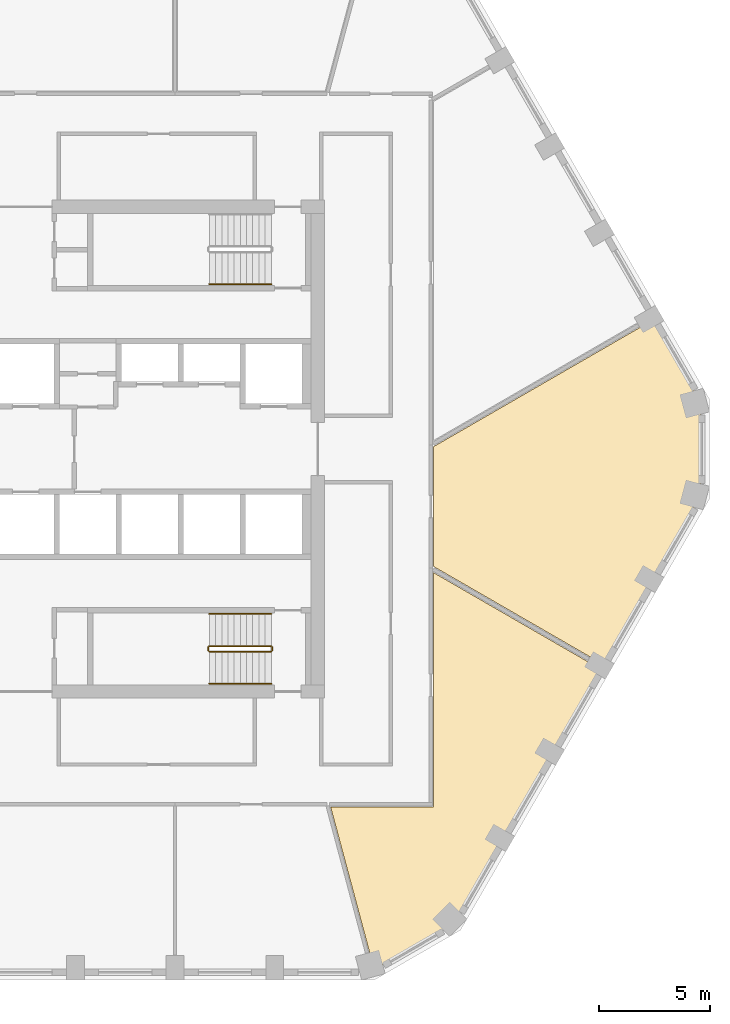
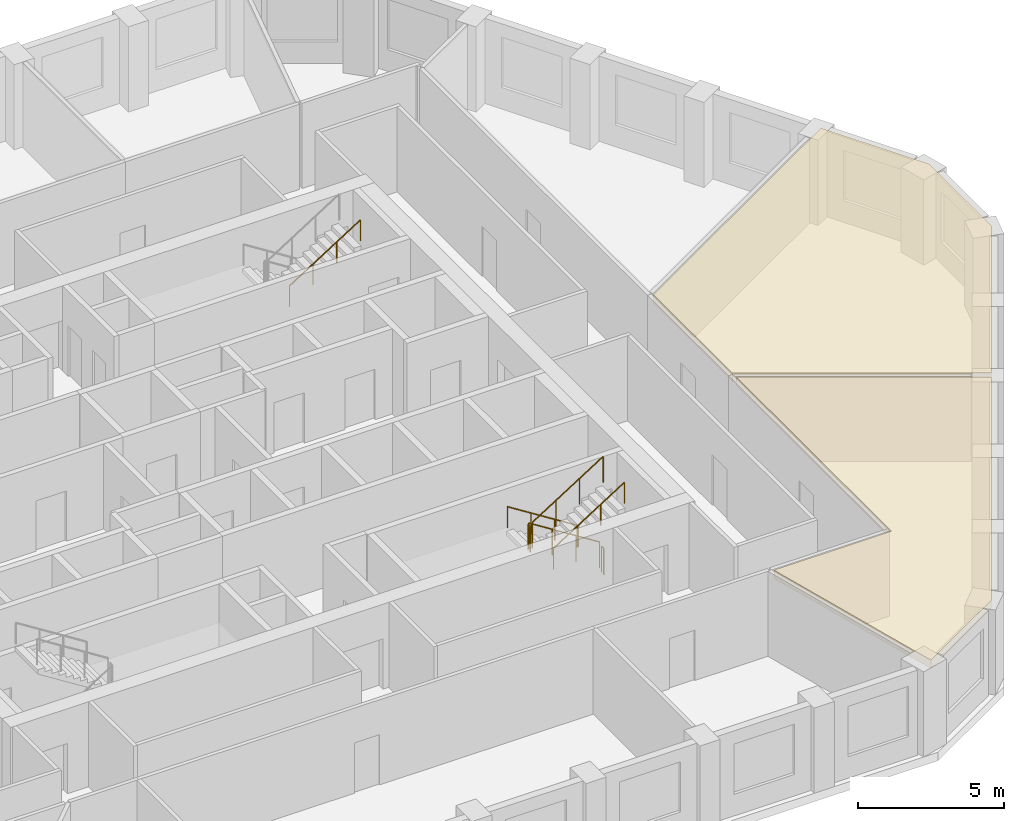
# One storey, part 10 of 13: 7 railings, 2 coverings.
"""IFC4 building model written with IfcOpenShell, lengths in metres."""

from ifc_helpers import new_model, si_unit, direction, frame, origin, origin_2d, place, context, subcontext, project, spatial, polyline, circle, outline, extrude, material, layer, layer_set, type_object, element, save


model = new_model("IFC4")

# Units and contexts
model_context = context("Model", 3, precision=1e-05, world=origin(), true_north=direction((0.0, 1.0)))
body_context = subcontext(model_context, "Body", "Model", "MODEL_VIEW")
ifc_project = project(units=[si_unit("LENGTHUNIT", "METRE"), si_unit("AREAUNIT", "SQUARE_METRE"), si_unit("VOLUMEUNIT", "CUBIC_METRE"), si_unit("PLANEANGLEUNIT", "RADIAN"), si_unit("MASSUNIT", "GRAM", prefix="KILO")], contexts=[model_context])

# Site, building, storey
site_placement = place(None, origin())
site = spatial("IfcSite", under=ifc_project, at=site_placement, CompositionType="ELEMENT")
building_placement = place(site_placement, origin())
building = spatial("IfcBuilding", under=site, at=building_placement, Name="Dhurran Vertical Campus", CompositionType="ELEMENT")
storey_placement = place(building_placement, frame((0.0, 0.0, 187.800048828125)))
storey = spatial("IfcBuildingStorey", under=building, at=storey_placement, Name="L46", CompositionType="ELEMENT", Elevation=187.800048828125)

# Railings
ifc_material_1 = material(Name="Stainless steel balustrade", Category="steel")
railing_type_1 = type_object("IfcRailingType", Name="co-RL-GUARD-1100", PredefinedType="GUARDRAIL", material=ifc_material_1)
railing_1_placement = place(storey_placement, frame((11.10009765625, -8.89990234375, 0.17724609375)))
element("IfcRailing", 1, at=railing_1_placement, inside=storey, type_object=railing_type_1, Name="L46 ST4 stair guard 1", PredefinedType="GUARDRAIL", context=body_context, shape_type="SweptSolid", body=[
    extrude(circle(Radius=0.02392578125, at=origin_2d()), frame((0.0, 0.0, 1.076171875), z_axis=(-0.844908973607, 0.0, 0.534910110503), x_axis=(0.0, -1.0, 0.0)), (0.0, 0.0, 1.0), 3.31396484375),
    extrude(circle(Radius=0.02099609375, at=origin_2d()), origin(), (0.0, 0.0, 1.0), 1.052001953125),
    extrude(circle(Radius=0.02099609375, at=origin_2d()), frame((-0.933349609375, 0.0, 0.5908203125)), (0.0, 0.0, 1.0), 1.052001953125),
    extrude(circle(Radius=0.02099609375, at=origin_2d()), frame((-1.86669921875, 0.0, 1.181884765625)), (0.0, 0.0, 1.0), 1.052001953125),
    extrude(circle(Radius=0.02099609375, at=origin_2d()), frame((-2.800048828125, 0.0, 1.772705078125)), (0.0, 0.0, 1.0), 1.052001953125),
])
railing_2_placement = place(storey_placement, frame((8.25, -8.949951171875, 1.949951171875)))
element("IfcRailing", 2, at=railing_2_placement, inside=storey, type_object=railing_type_1, Name="L46 ST4 stair guard 2", PredefinedType="GUARDRAIL", context=body_context, shape_type="SweptSolid", body=[
    extrude(circle(Radius=0.02392578125, at=origin_2d()), frame((0.0, 0.0, 1.076171875), z_axis=(0.0, -1.0, 0.0), x_axis=(1.0, 0.0, 0.0)), (0.0, 0.0, 1.0), 0.150146484375),
    extrude(circle(Radius=0.02099609375, at=origin_2d()), origin(), (0.0, 0.0, 1.0), 1.052001953125),
    extrude(circle(Radius=0.02099609375, at=origin_2d()), frame((0.0, -0.150146484375, 0.0)), (0.0, 0.0, 1.0), 1.052001953125),
])
railing_3_placement = place(storey_placement, frame((8.300048828125, -9.14990234375, 2.127197265625)))
element("IfcRailing", 3, at=railing_3_placement, inside=storey, type_object=railing_type_1, Name="L46 ST4 stair guard 3", PredefinedType="GUARDRAIL", context=body_context, shape_type="SweptSolid", body=[
    extrude(circle(Radius=0.02392578125, at=origin_2d()), frame((0.0, 0.0, 1.076171875), z_axis=(0.844908973607, 0.0, 0.534910110503), x_axis=(0.0, 1.0, 0.0)), (0.0, 0.0, 1.0), 3.31396484375),
    extrude(circle(Radius=0.02099609375, at=origin_2d()), origin(), (0.0, 0.0, 1.0), 1.052001953125),
    extrude(circle(Radius=0.02099609375, at=origin_2d()), frame((0.933349609375, 0.0, 0.5908203125)), (0.0, 0.0, 1.0), 1.052001953125),
    extrude(circle(Radius=0.02099609375, at=origin_2d()), frame((1.86669921875, 0.0, 1.181884765625)), (0.0, 0.0, 1.0), 1.052001953125),
    extrude(circle(Radius=0.02099609375, at=origin_2d()), frame((2.800048828125, 0.0, 1.772705078125)), (0.0, 0.0, 1.0), 1.052001953125),
])
railing_4_placement = place(storey_placement, frame((11.14990234375, -8.949951171875, 0.0)))
element("IfcRailing", 4, at=railing_4_placement, inside=storey, type_object=railing_type_1, Name="L46 ST4 stair guard 4", PredefinedType="GUARDRAIL", context=body_context, shape_type="SweptSolid", body=[
    extrude(circle(Radius=0.02392578125, at=origin_2d()), frame((0.0, 0.0, 1.076171875), z_axis=(0.0, -1.0, 0.0), x_axis=(1.0, 0.0, 0.0)), (0.0, 0.0, 1.0), 0.150146484375),
    extrude(circle(Radius=0.02099609375, at=origin_2d()), origin(), (0.0, 0.0, 1.0), 1.052001953125),
    extrude(circle(Radius=0.02099609375, at=origin_2d()), frame((0.0, -0.150146484375, 0.0)), (0.0, 0.0, 1.0), 1.052001953125),
])
ifc_material_2 = material(Name="Stainless steel handrail", Category="steel")
railing_type_2 = type_object("IfcRailingType", Name="co-RL-HANDRAIL-900", PredefinedType="HANDRAIL", material=ifc_material_2)
railing_5_placement = place(storey_placement, frame((8.300048828125, 7.449951171875, 2.127197265625)))
element("IfcRailing", 5, at=railing_5_placement, inside=storey, type_object=railing_type_2, Name="L46 ST2 stair handrail 2", PredefinedType="HANDRAIL", context=body_context, shape_type="SweptSolid", body=[
    extrude(circle(Radius=0.02392578125, at=origin_2d()), frame((0.0, 0.0, 0.8759765625), z_axis=(0.844908973607, 0.0, 0.534910110503), x_axis=(0.0, 1.0, 0.0)), (0.0, 0.0, 1.0), 3.31396484375),
    extrude(circle(Radius=0.02099609375, at=origin_2d()), origin(), (0.0, 0.0, 1.0), 0.851806640625),
    extrude(circle(Radius=0.02099609375, at=origin_2d()), frame((0.933349609375, 0.0, 0.5908203125)), (0.0, 0.0, 1.0), 0.851806640625),
    extrude(circle(Radius=0.02099609375, at=origin_2d()), frame((1.86669921875, 0.0, 1.181884765625)), (0.0, 0.0, 1.0), 0.851806640625),
    extrude(circle(Radius=0.02099609375, at=origin_2d()), frame((2.800048828125, 0.0, 1.772705078125)), (0.0, 0.0, 1.0), 0.851806640625),
])
railing_6_placement = place(storey_placement, frame((11.10009765625, -7.449951171875, 0.17724609375)))
element("IfcRailing", 6, at=railing_6_placement, inside=storey, type_object=railing_type_2, Name="L46 ST4 stair handrail 1", PredefinedType="HANDRAIL", context=body_context, shape_type="SweptSolid", body=[
    extrude(circle(Radius=0.02392578125, at=origin_2d()), frame((0.0, 0.0, 0.8759765625), z_axis=(-0.844908973607, 0.0, 0.534910110503), x_axis=(0.0, -1.0, 0.0)), (0.0, 0.0, 1.0), 3.31396484375),
    extrude(circle(Radius=0.02099609375, at=origin_2d()), origin(), (0.0, 0.0, 1.0), 0.851806640625),
    extrude(circle(Radius=0.02099609375, at=origin_2d()), frame((-0.933349609375, 0.0, 0.5908203125)), (0.0, 0.0, 1.0), 0.851806640625),
    extrude(circle(Radius=0.02099609375, at=origin_2d()), frame((-1.86669921875, 0.0, 1.181884765625)), (0.0, 0.0, 1.0), 0.851806640625),
    extrude(circle(Radius=0.02099609375, at=origin_2d()), frame((-2.800048828125, 0.0, 1.772705078125)), (0.0, 0.0, 1.0), 0.851806640625),
])
railing_7_placement = place(storey_placement, frame((8.300048828125, -10.60009765625, 2.127197265625)))
element("IfcRailing", 7, at=railing_7_placement, inside=storey, type_object=railing_type_2, Name="L46 ST4 stair handrail 2", PredefinedType="HANDRAIL", context=body_context, shape_type="SweptSolid", body=[
    extrude(circle(Radius=0.02392578125, at=origin_2d()), frame((0.0, 0.0, 0.8759765625), z_axis=(0.844908973607, 0.0, 0.534910110503), x_axis=(0.0, 1.0, 0.0)), (0.0, 0.0, 1.0), 3.31396484375),
    extrude(circle(Radius=0.02099609375, at=origin_2d()), origin(), (0.0, 0.0, 1.0), 0.851806640625),
    extrude(circle(Radius=0.02099609375, at=origin_2d()), frame((0.933349609375, 0.0, 0.5908203125)), (0.0, 0.0, 1.0), 0.851806640625),
    extrude(circle(Radius=0.02099609375, at=origin_2d()), frame((1.86669921875, 0.0, 1.181884765625)), (0.0, 0.0, 1.0), 0.851806640625),
    extrude(circle(Radius=0.02099609375, at=origin_2d()), frame((2.800048828125, 0.0, 1.772705078125)), (0.0, 0.0, 1.0), 0.851806640625),
])

# Coverings
ifc_material_3 = material(Name="Mineral fibre ceiling tiles on suspended grid")
ifc_layer = layer(ifc_material_3, 0.35009765625)
ifc_layer_set = layer_set([ifc_layer], Name="Mineral fibre ceiling tiles on suspended grid")
covering_type = type_object("IfcCoveringType", Name="fl-CE-350 suspended ceiling", PredefinedType="CEILING", material=ifc_layer_set)
covering_1_placement = place(storey_placement, frame((0.0, 0.0, 3.199951171875)))
element("IfcCovering", 8, at=covering_1_placement, inside=storey, type_object=covering_type, Name="Ceiling 46-29", PredefinedType="CEILING", context=body_context, shape_type="SweptSolid", body=[
    extrude(outline(polyline([(25.972900390625, -9.93798828125), (19.339111328125, -21.427978515625), (15.7451171875, -23.50390625), (13.780029296875, -16.169921875), (18.419921875, -16.169921875), (18.419921875, -5.576904296875), (25.972900390625, -9.93798828125)])), origin(), (0.0, 0.0, 1.0), 0.35009765625),
])
covering_2_placement = place(storey_placement, frame((0.0, 0.0, 3.199951171875)))
element("IfcCovering", 9, at=covering_2_placement, inside=storey, type_object=covering_type, Name="Ceiling 46-31", PredefinedType="CEILING", context=body_context, shape_type="SweptSolid", body=[
    extrude(outline(polyline([(28.343017578125, 5.8330078125), (30.47705078125, 2.137939453125), (30.47705078125, -2.137939453125), (26.093017578125, -9.72998046875), (18.419921875, -5.300048828125), (18.419921875, 0.10400390625), (28.343017578125, 5.8330078125)])), origin(), (0.0, 0.0, 1.0), 0.35009765625),
])

save(model, "model.ifc")
